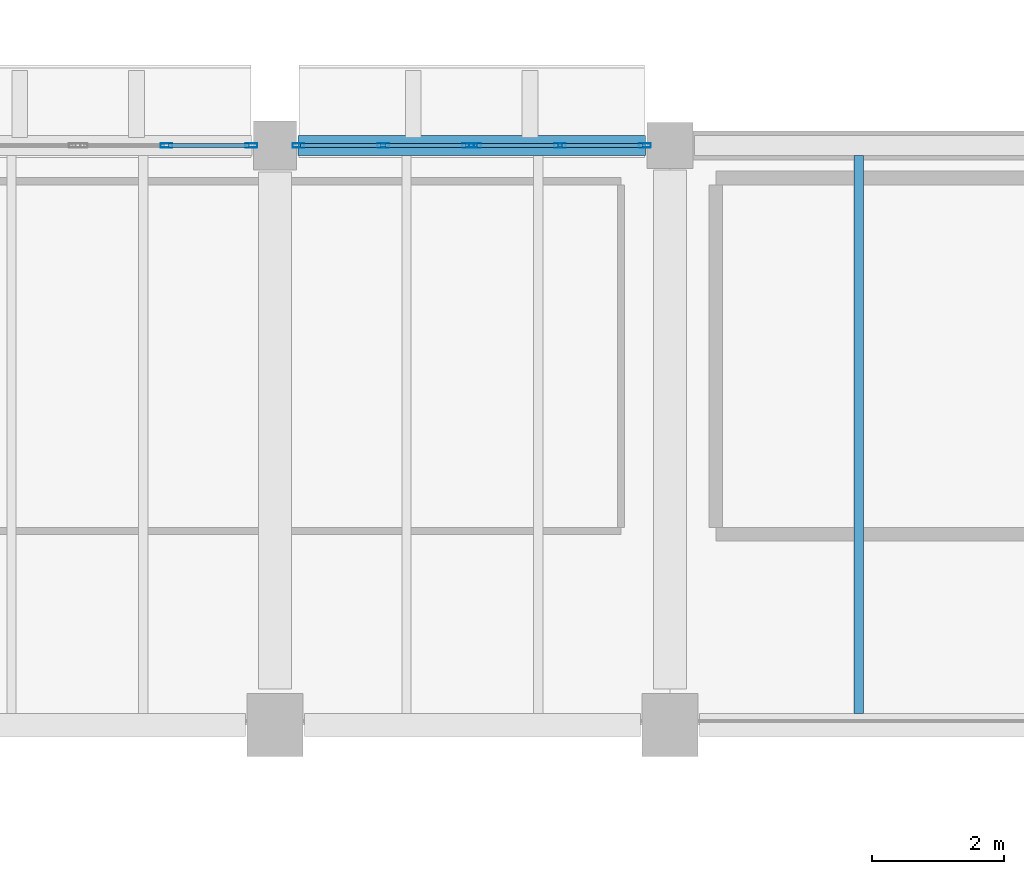
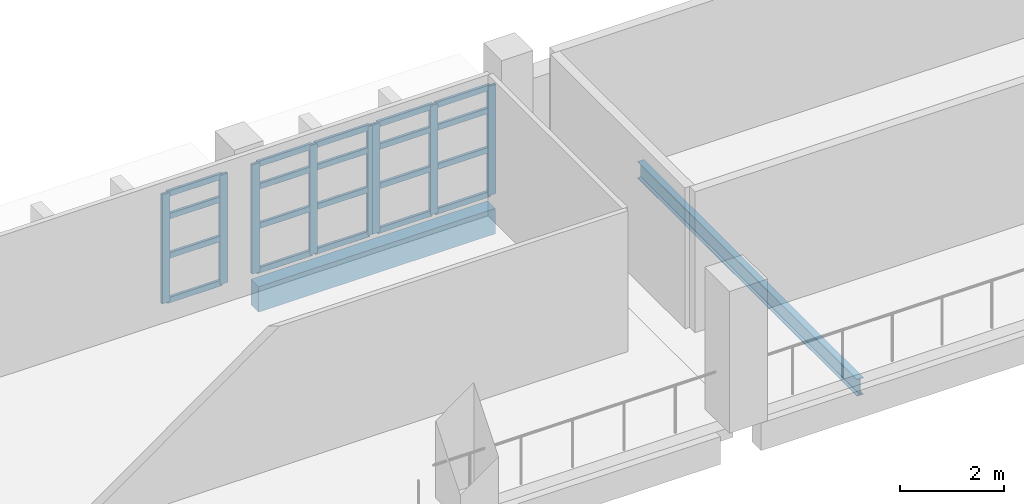
# One storey, part 44 of 75: 28 members, 2 beams, 3 elements without a shape of their own.
"""IFC4 building model written with IfcOpenShell, lengths in metres."""

from ifc_helpers import new_model, si_unit, direction, frame, origin, origin_2d, place, context, subcontext, project, spatial, rectangle, hollow_rectangle, i_section, extrude, material, material_profile, profile_set, type_object, element, aggregate, save


model = new_model("IFC4")

# Units and contexts
model_context = context("Model", 3, precision=1e-05, world=origin(), true_north=direction((0.0, 1.0)))
body_context = subcontext(model_context, "Body", "Model", "MODEL_VIEW")
ifc_project = project(units=[si_unit("LENGTHUNIT", "METRE"), si_unit("AREAUNIT", "SQUARE_METRE"), si_unit("VOLUMEUNIT", "CUBIC_METRE"), si_unit("PLANEANGLEUNIT", "RADIAN"), si_unit("MASSUNIT", "GRAM", prefix="KILO")], contexts=[model_context])

# Site, building, storey
site_placement = place(None, origin())
site = spatial("IfcSite", under=ifc_project, at=site_placement, CompositionType="ELEMENT")
building_placement = place(site_placement, origin())
building = spatial("IfcBuilding", under=site, at=building_placement, Name="Varnakota Cinema and Media Centre", CompositionType="ELEMENT")
storey_placement = place(building_placement, frame((0.0, 0.0, 8.39990234375)))
storey = spatial("IfcBuildingStorey", under=building, at=storey_placement, Name="L02", CompositionType="ELEMENT", Elevation=8.39990234375)

# Beams
ifc_material_1 = material(Name="Concrete M35", Category="concrete")
ifc_material_profile_1 = material_profile(ifc_material_1, rectangle(XDim=0.300048828125, YDim=0.60009765625, at=origin_2d()), Name="RCB 300x600")
ifc_profile_set_1 = profile_set([ifc_material_profile_1], Name="Concrete M35")
beam_type_1 = type_object("IfcBeamType", Name="BM-SP-300x600", PredefinedType="SPANDREL", material=ifc_profile_set_1)
beam_1_placement = place(storey_placement, frame((129.35009765625, 44.0, -0.5498046875), z_axis=(1.0, 0.0, 0.0), x_axis=(0.0, 1.0, 0.0)))
element("IfcBeam", 1, at=beam_1_placement, inside=storey, type_object=beam_type_1, Name="L02 girder U-V/6", PredefinedType="SPANDREL", context=body_context, shape_type="SweptSolid", body=[
    extrude(rectangle(XDim=0.300048828125, YDim=0.60009765625, at=origin_2d()), origin(), (0.0, 0.0, 1.0), 5.27490234375),
])
ifc_material_2 = material(Name="Structural steel Grade 350 (E350)", Category="steel")
ifc_material_profile_2 = material_profile(ifc_material_2, i_section(OverallWidth=0.139892578125, OverallDepth=0.39990234375, WebThickness=0.0087890625, FlangeThickness=0.01611328125, FilletRadius=0.013916015625, at=origin_2d()), Name="ISMB 400")
ifc_profile_set_2 = profile_set([ifc_material_profile_2], Name="Structural steel Grade 350 (E350)")
beam_type_2 = type_object("IfcBeamType", Name="BM-ST-ISMB400", PredefinedType="JOIST", material=ifc_profile_set_2)
beam_2_placement = place(storey_placement, frame((137.86669921875, 35.375, -0.449951171875), z_axis=(0.0, 1.0, 0.0), x_axis=(-1.0, 0.0, 0.0)))
element("IfcBeam", 2, at=beam_2_placement, inside=storey, type_object=beam_type_2, Name="L02 steel joist V-W/5-6 #1", PredefinedType="JOIST", context=body_context, shape_type="SweptSolid", body=[
    extrude(i_section(OverallWidth=0.139892578125, OverallDepth=0.39990234375, WebThickness=0.0087890625, FlangeThickness=0.01611328125, FilletRadius=0.013916015625, at=origin_2d()), origin(), (0.0, 0.0, 1.0), 8.47509765625),
])

# Curtain wall, members
ifc_material_3 = material(Name="Thermally broken anodised aluminium AW-6063", Category="aluminium")
curtain_wall_type = type_object("IfcCurtainWallType", Name="CW-STD-264x258", PredefinedType="USERDEFINED", material=ifc_material_3)
curtain_wall_1_placement = place(storey_placement, origin())
curtain_wall_1 = element("IfcCurtainWall", 3, at=curtain_wall_1_placement, inside=storey, type_object=curtain_wall_type, Name="L02 curtain wall CW-L02-V1-N-09-2", ObjectType="UNITISED CURTAIN WALL", PredefinedType="USERDEFINED")
ifc_material_4 = material(Name="Thermally broken anodised aluminium AW-6063", Category="aluminium")
ifc_material_profile_3 = material_profile(ifc_material_4, hollow_rectangle(XDim=0.06494140625, YDim=0.179931640625, WallThickness=0.00390625, InnerFilletRadius=0.00390625, OuterFilletRadius=0.008056640625, at=origin_2d()), Name="AL-MULLION 180x65x4")
ifc_profile_set_3 = profile_set([ifc_material_profile_3], Name="Thermally broken anodised aluminium AW-6063")
member_type_1 = type_object("IfcMemberType", Name="CWM-AL-180", PredefinedType="MULLION", material=ifc_profile_set_3)
member_1_placement = place(storey_placement, frame((127.353759765625, 44.0, 0.0), z_axis=(0.0, 0.0, 1.0), x_axis=(0.0, 1.0, 0.0)))
member_1 = element("IfcMember", 4, at=member_1_placement, type_object=member_type_1, Name="CW29 mullion 2", PredefinedType="MULLION", context=body_context, shape_type="SweptSolid", body=[
    extrude(hollow_rectangle(XDim=0.06494140625, YDim=0.179931640625, WallThickness=0.00390625, InnerFilletRadius=0.00390625, OuterFilletRadius=0.008056640625, at=origin_2d()), origin(), (0.0, 0.0, 1.0), 2.5751953125),
])
member_2_placement = place(storey_placement, frame((128.642578125, 44.0, 0.0), z_axis=(0.0, 0.0, 1.0), x_axis=(0.0, 1.0, 0.0)))
member_2 = element("IfcMember", 5, at=member_2_placement, type_object=member_type_1, Name="CW29 mullion 3", PredefinedType="MULLION", context=body_context, shape_type="SweptSolid", body=[
    extrude(hollow_rectangle(XDim=0.06494140625, YDim=0.179931640625, WallThickness=0.00390625, InnerFilletRadius=0.00390625, OuterFilletRadius=0.008056640625, at=origin_2d()), origin(), (0.0, 0.0, 1.0), 2.5751953125),
])

curtain_wall_2_placement = place(storey_placement, origin())
curtain_wall_2 = element("IfcCurtainWall", 6, at=curtain_wall_2_placement, inside=storey, type_object=curtain_wall_type, Name="L02 curtain wall CW-L02-V1-N-10-1", ObjectType="UNITISED CURTAIN WALL", PredefinedType="USERDEFINED")
member_3_placement = place(storey_placement, frame((129.357421875, 44.0, 0.0), z_axis=(0.0, 0.0, 1.0), x_axis=(0.0, 1.0, 0.0)))
member_3 = element("IfcMember", 7, at=member_3_placement, type_object=member_type_1, Name="CW29 mullion 1", PredefinedType="MULLION", context=body_context, shape_type="SweptSolid", body=[
    extrude(hollow_rectangle(XDim=0.06494140625, YDim=0.179931640625, WallThickness=0.00390625, InnerFilletRadius=0.00390625, OuterFilletRadius=0.008056640625, at=origin_2d()), origin(), (0.0, 0.0, 1.0), 2.5751953125),
])
member_4_placement = place(storey_placement, frame((130.646240234375, 44.0, 0.0), z_axis=(0.0, 0.0, 1.0), x_axis=(0.0, 1.0, 0.0)))
member_4 = element("IfcMember", 8, at=member_4_placement, type_object=member_type_1, Name="CW29 mullion 2", PredefinedType="MULLION", context=body_context, shape_type="SweptSolid", body=[
    extrude(hollow_rectangle(XDim=0.06494140625, YDim=0.179931640625, WallThickness=0.00390625, InnerFilletRadius=0.00390625, OuterFilletRadius=0.008056640625, at=origin_2d()), origin(), (0.0, 0.0, 1.0), 2.5751953125),
])
member_5_placement = place(storey_placement, frame((131.93505859375, 44.0, 0.0), z_axis=(0.0, 0.0, 1.0), x_axis=(0.0, 1.0, 0.0)))
member_5 = element("IfcMember", 9, at=member_5_placement, type_object=member_type_1, Name="CW29 mullion 3", PredefinedType="MULLION", context=body_context, shape_type="SweptSolid", body=[
    extrude(hollow_rectangle(XDim=0.06494140625, YDim=0.179931640625, WallThickness=0.00390625, InnerFilletRadius=0.00390625, OuterFilletRadius=0.008056640625, at=origin_2d()), origin(), (0.0, 0.0, 1.0), 2.5751953125),
])

curtain_wall_3_placement = place(storey_placement, origin())
curtain_wall_3 = element("IfcCurtainWall", 10, at=curtain_wall_3_placement, inside=storey, type_object=curtain_wall_type, Name="L02 curtain wall CW-L02-V1-N-10-2", ObjectType="UNITISED CURTAIN WALL", PredefinedType="USERDEFINED")
member_6_placement = place(storey_placement, frame((132.0400390625, 44.0, 0.0), z_axis=(0.0, 0.0, 1.0), x_axis=(0.0, 1.0, 0.0)))
member_6 = element("IfcMember", 11, at=member_6_placement, type_object=member_type_1, Name="CW29 mullion 1", PredefinedType="MULLION", context=body_context, shape_type="SweptSolid", body=[
    extrude(hollow_rectangle(XDim=0.06494140625, YDim=0.179931640625, WallThickness=0.00390625, InnerFilletRadius=0.00390625, OuterFilletRadius=0.008056640625, at=origin_2d()), origin(), (0.0, 0.0, 1.0), 2.5751953125),
])
member_7_placement = place(storey_placement, frame((133.328857421875, 44.0, 0.0), z_axis=(0.0, 0.0, 1.0), x_axis=(0.0, 1.0, 0.0)))
member_7 = element("IfcMember", 12, at=member_7_placement, type_object=member_type_1, Name="CW29 mullion 2", PredefinedType="MULLION", context=body_context, shape_type="SweptSolid", body=[
    extrude(hollow_rectangle(XDim=0.06494140625, YDim=0.179931640625, WallThickness=0.00390625, InnerFilletRadius=0.00390625, OuterFilletRadius=0.008056640625, at=origin_2d()), origin(), (0.0, 0.0, 1.0), 2.5751953125),
])
member_8_placement = place(storey_placement, frame((134.617431640625, 44.0, 0.0), z_axis=(0.0, 0.0, 1.0), x_axis=(0.0, 1.0, 0.0)))
member_8 = element("IfcMember", 13, at=member_8_placement, type_object=member_type_1, Name="CW29 mullion 3", PredefinedType="MULLION", context=body_context, shape_type="SweptSolid", body=[
    extrude(hollow_rectangle(XDim=0.06494140625, YDim=0.179931640625, WallThickness=0.00390625, InnerFilletRadius=0.00390625, OuterFilletRadius=0.008056640625, at=origin_2d()), origin(), (0.0, 0.0, 1.0), 2.5751953125),
])

# Member
ifc_material_5 = material(Name="Thermally broken anodised aluminium AW-6063", Category="aluminium")
ifc_material_profile_4 = material_profile(ifc_material_5, hollow_rectangle(XDim=0.06494140625, YDim=0.139892578125, WallThickness=0.00390625, InnerFilletRadius=0.00390625, OuterFilletRadius=0.008056640625, at=origin_2d()), Name="AL-TRANSOM 140x65x4")
ifc_profile_set_4 = profile_set([ifc_material_profile_4], Name="Thermally broken anodised aluminium AW-6063")
member_type_2 = type_object("IfcMemberType", Name="CWT-AL-140", PredefinedType="USERDEFINED", material=ifc_profile_set_4)
member_9_placement = place(storey_placement, frame((127.38623046875, 44.0, 0.03271484375), z_axis=(1.0, 0.0, 0.0), x_axis=(0.0, 1.0, 0.0)))
member_9 = element("IfcMember", 14, at=member_9_placement, type_object=member_type_2, Name="CW29 transom 2.1", ObjectType="TRANSOM", PredefinedType="USERDEFINED", context=body_context, shape_type="SweptSolid", body=[
    extrude(hollow_rectangle(XDim=0.06494140625, YDim=0.139892578125, WallThickness=0.00390625, InnerFilletRadius=0.00390625, OuterFilletRadius=0.008056640625, at=origin_2d()), origin(), (0.0, 0.0, 1.0), 1.223876953125),
])

member_10_placement = place(storey_placement, frame((127.38623046875, 44.0, 1.08154296875), z_axis=(1.0, 0.0, 0.0), x_axis=(0.0, 1.0, 0.0)))
member_10 = element("IfcMember", 15, at=member_10_placement, type_object=member_type_2, Name="CW29 transom 2.2", ObjectType="TRANSOM", PredefinedType="USERDEFINED", context=body_context, shape_type="SweptSolid", body=[
    extrude(hollow_rectangle(XDim=0.06494140625, YDim=0.139892578125, WallThickness=0.00390625, InnerFilletRadius=0.00390625, OuterFilletRadius=0.008056640625, at=origin_2d()), origin(), (0.0, 0.0, 1.0), 1.223876953125),
])

member_11_placement = place(storey_placement, frame((127.38623046875, 44.0, 2.008544921875), z_axis=(1.0, 0.0, 0.0), x_axis=(0.0, 1.0, 0.0)))
member_11 = element("IfcMember", 16, at=member_11_placement, type_object=member_type_2, Name="CW29 transom 2.3", ObjectType="TRANSOM", PredefinedType="USERDEFINED", context=body_context, shape_type="SweptSolid", body=[
    extrude(hollow_rectangle(XDim=0.06494140625, YDim=0.139892578125, WallThickness=0.00390625, InnerFilletRadius=0.00390625, OuterFilletRadius=0.008056640625, at=origin_2d()), origin(), (0.0, 0.0, 1.0), 1.223876953125),
])

member_12_placement = place(storey_placement, frame((127.38623046875, 44.0, 2.54248046875), z_axis=(1.0, 0.0, 0.0), x_axis=(0.0, 1.0, 0.0)))
member_12 = element("IfcMember", 17, at=member_12_placement, type_object=member_type_2, Name="CW29 transom 2.4", ObjectType="TRANSOM", PredefinedType="USERDEFINED", context=body_context, shape_type="SweptSolid", body=[
    extrude(hollow_rectangle(XDim=0.06494140625, YDim=0.139892578125, WallThickness=0.00390625, InnerFilletRadius=0.00390625, OuterFilletRadius=0.008056640625, at=origin_2d()), origin(), (0.0, 0.0, 1.0), 1.223876953125),
])

aggregate(curtain_wall_1, [member_1, member_2, member_9, member_10, member_11, member_12])

member_13_placement = place(storey_placement, frame((129.389892578125, 44.0, 0.03271484375), z_axis=(1.0, 0.0, 0.0), x_axis=(0.0, 1.0, 0.0)))
member_13 = element("IfcMember", 18, at=member_13_placement, type_object=member_type_2, Name="CW29 transom 1.1", ObjectType="TRANSOM", PredefinedType="USERDEFINED", context=body_context, shape_type="SweptSolid", body=[
    extrude(hollow_rectangle(XDim=0.06494140625, YDim=0.139892578125, WallThickness=0.00390625, InnerFilletRadius=0.00390625, OuterFilletRadius=0.008056640625, at=origin_2d()), origin(), (0.0, 0.0, 1.0), 1.223876953125),
])

member_14_placement = place(storey_placement, frame((129.389892578125, 44.0, 1.08154296875), z_axis=(1.0, 0.0, 0.0), x_axis=(0.0, 1.0, 0.0)))
member_14 = element("IfcMember", 19, at=member_14_placement, type_object=member_type_2, Name="CW29 transom 1.2", ObjectType="TRANSOM", PredefinedType="USERDEFINED", context=body_context, shape_type="SweptSolid", body=[
    extrude(hollow_rectangle(XDim=0.06494140625, YDim=0.139892578125, WallThickness=0.00390625, InnerFilletRadius=0.00390625, OuterFilletRadius=0.008056640625, at=origin_2d()), origin(), (0.0, 0.0, 1.0), 1.223876953125),
])

member_15_placement = place(storey_placement, frame((129.389892578125, 44.0, 2.008544921875), z_axis=(1.0, 0.0, 0.0), x_axis=(0.0, 1.0, 0.0)))
member_15 = element("IfcMember", 20, at=member_15_placement, type_object=member_type_2, Name="CW29 transom 1.3", ObjectType="TRANSOM", PredefinedType="USERDEFINED", context=body_context, shape_type="SweptSolid", body=[
    extrude(hollow_rectangle(XDim=0.06494140625, YDim=0.139892578125, WallThickness=0.00390625, InnerFilletRadius=0.00390625, OuterFilletRadius=0.008056640625, at=origin_2d()), origin(), (0.0, 0.0, 1.0), 1.223876953125),
])

member_16_placement = place(storey_placement, frame((129.389892578125, 44.0, 2.54248046875), z_axis=(1.0, 0.0, 0.0), x_axis=(0.0, 1.0, 0.0)))
member_16 = element("IfcMember", 21, at=member_16_placement, type_object=member_type_2, Name="CW29 transom 1.4", ObjectType="TRANSOM", PredefinedType="USERDEFINED", context=body_context, shape_type="SweptSolid", body=[
    extrude(hollow_rectangle(XDim=0.06494140625, YDim=0.139892578125, WallThickness=0.00390625, InnerFilletRadius=0.00390625, OuterFilletRadius=0.008056640625, at=origin_2d()), origin(), (0.0, 0.0, 1.0), 1.223876953125),
])

member_17_placement = place(storey_placement, frame((130.6787109375, 44.0, 0.03271484375), z_axis=(1.0, 0.0, 0.0), x_axis=(0.0, 1.0, 0.0)))
member_17 = element("IfcMember", 22, at=member_17_placement, type_object=member_type_2, Name="CW29 transom 2.1", ObjectType="TRANSOM", PredefinedType="USERDEFINED", context=body_context, shape_type="SweptSolid", body=[
    extrude(hollow_rectangle(XDim=0.06494140625, YDim=0.139892578125, WallThickness=0.00390625, InnerFilletRadius=0.00390625, OuterFilletRadius=0.008056640625, at=origin_2d()), origin(), (0.0, 0.0, 1.0), 1.223876953125),
])

member_18_placement = place(storey_placement, frame((130.6787109375, 44.0, 1.08154296875), z_axis=(1.0, 0.0, 0.0), x_axis=(0.0, 1.0, 0.0)))
member_18 = element("IfcMember", 23, at=member_18_placement, type_object=member_type_2, Name="CW29 transom 2.2", ObjectType="TRANSOM", PredefinedType="USERDEFINED", context=body_context, shape_type="SweptSolid", body=[
    extrude(hollow_rectangle(XDim=0.06494140625, YDim=0.139892578125, WallThickness=0.00390625, InnerFilletRadius=0.00390625, OuterFilletRadius=0.008056640625, at=origin_2d()), origin(), (0.0, 0.0, 1.0), 1.223876953125),
])

member_19_placement = place(storey_placement, frame((130.6787109375, 44.0, 2.008544921875), z_axis=(1.0, 0.0, 0.0), x_axis=(0.0, 1.0, 0.0)))
member_19 = element("IfcMember", 24, at=member_19_placement, type_object=member_type_2, Name="CW29 transom 2.3", ObjectType="TRANSOM", PredefinedType="USERDEFINED", context=body_context, shape_type="SweptSolid", body=[
    extrude(hollow_rectangle(XDim=0.06494140625, YDim=0.139892578125, WallThickness=0.00390625, InnerFilletRadius=0.00390625, OuterFilletRadius=0.008056640625, at=origin_2d()), origin(), (0.0, 0.0, 1.0), 1.223876953125),
])

member_20_placement = place(storey_placement, frame((130.6787109375, 44.0, 2.54248046875), z_axis=(1.0, 0.0, 0.0), x_axis=(0.0, 1.0, 0.0)))
member_20 = element("IfcMember", 25, at=member_20_placement, type_object=member_type_2, Name="CW29 transom 2.4", ObjectType="TRANSOM", PredefinedType="USERDEFINED", context=body_context, shape_type="SweptSolid", body=[
    extrude(hollow_rectangle(XDim=0.06494140625, YDim=0.139892578125, WallThickness=0.00390625, InnerFilletRadius=0.00390625, OuterFilletRadius=0.008056640625, at=origin_2d()), origin(), (0.0, 0.0, 1.0), 1.223876953125),
])

aggregate(curtain_wall_2, [member_3, member_4, member_5, member_13, member_14, member_15, member_16, member_17, member_18, member_19, member_20])

member_21_placement = place(storey_placement, frame((132.072509765625, 44.0, 0.03271484375), z_axis=(1.0, 0.0, 0.0), x_axis=(0.0, 1.0, 0.0)))
member_21 = element("IfcMember", 26, at=member_21_placement, type_object=member_type_2, Name="CW29 transom 1.1", ObjectType="TRANSOM", PredefinedType="USERDEFINED", context=body_context, shape_type="SweptSolid", body=[
    extrude(hollow_rectangle(XDim=0.06494140625, YDim=0.139892578125, WallThickness=0.00390625, InnerFilletRadius=0.00390625, OuterFilletRadius=0.008056640625, at=origin_2d()), origin(), (0.0, 0.0, 1.0), 1.2236328125),
])

member_22_placement = place(storey_placement, frame((132.072509765625, 44.0, 1.08154296875), z_axis=(1.0, 0.0, 0.0), x_axis=(0.0, 1.0, 0.0)))
member_22 = element("IfcMember", 27, at=member_22_placement, type_object=member_type_2, Name="CW29 transom 1.2", ObjectType="TRANSOM", PredefinedType="USERDEFINED", context=body_context, shape_type="SweptSolid", body=[
    extrude(hollow_rectangle(XDim=0.06494140625, YDim=0.139892578125, WallThickness=0.00390625, InnerFilletRadius=0.00390625, OuterFilletRadius=0.008056640625, at=origin_2d()), origin(), (0.0, 0.0, 1.0), 1.2236328125),
])

member_23_placement = place(storey_placement, frame((132.072509765625, 44.0, 2.008544921875), z_axis=(1.0, 0.0, 0.0), x_axis=(0.0, 1.0, 0.0)))
member_23 = element("IfcMember", 28, at=member_23_placement, type_object=member_type_2, Name="CW29 transom 1.3", ObjectType="TRANSOM", PredefinedType="USERDEFINED", context=body_context, shape_type="SweptSolid", body=[
    extrude(hollow_rectangle(XDim=0.06494140625, YDim=0.139892578125, WallThickness=0.00390625, InnerFilletRadius=0.00390625, OuterFilletRadius=0.008056640625, at=origin_2d()), origin(), (0.0, 0.0, 1.0), 1.2236328125),
])

member_24_placement = place(storey_placement, frame((132.072509765625, 44.0, 2.54248046875), z_axis=(1.0, 0.0, 0.0), x_axis=(0.0, 1.0, 0.0)))
member_24 = element("IfcMember", 29, at=member_24_placement, type_object=member_type_2, Name="CW29 transom 1.4", ObjectType="TRANSOM", PredefinedType="USERDEFINED", context=body_context, shape_type="SweptSolid", body=[
    extrude(hollow_rectangle(XDim=0.06494140625, YDim=0.139892578125, WallThickness=0.00390625, InnerFilletRadius=0.00390625, OuterFilletRadius=0.008056640625, at=origin_2d()), origin(), (0.0, 0.0, 1.0), 1.2236328125),
])

member_25_placement = place(storey_placement, frame((133.361328125, 44.0, 0.03271484375), z_axis=(1.0, 0.0, 0.0), x_axis=(0.0, 1.0, 0.0)))
member_25 = element("IfcMember", 30, at=member_25_placement, type_object=member_type_2, Name="CW29 transom 2.1", ObjectType="TRANSOM", PredefinedType="USERDEFINED", context=body_context, shape_type="SweptSolid", body=[
    extrude(hollow_rectangle(XDim=0.06494140625, YDim=0.139892578125, WallThickness=0.00390625, InnerFilletRadius=0.00390625, OuterFilletRadius=0.008056640625, at=origin_2d()), origin(), (0.0, 0.0, 1.0), 1.2236328125),
])

member_26_placement = place(storey_placement, frame((133.361328125, 44.0, 1.08154296875), z_axis=(1.0, 0.0, 0.0), x_axis=(0.0, 1.0, 0.0)))
member_26 = element("IfcMember", 31, at=member_26_placement, type_object=member_type_2, Name="CW29 transom 2.2", ObjectType="TRANSOM", PredefinedType="USERDEFINED", context=body_context, shape_type="SweptSolid", body=[
    extrude(hollow_rectangle(XDim=0.06494140625, YDim=0.139892578125, WallThickness=0.00390625, InnerFilletRadius=0.00390625, OuterFilletRadius=0.008056640625, at=origin_2d()), origin(), (0.0, 0.0, 1.0), 1.2236328125),
])

member_27_placement = place(storey_placement, frame((133.361328125, 44.0, 2.008544921875), z_axis=(1.0, 0.0, 0.0), x_axis=(0.0, 1.0, 0.0)))
member_27 = element("IfcMember", 32, at=member_27_placement, type_object=member_type_2, Name="CW29 transom 2.3", ObjectType="TRANSOM", PredefinedType="USERDEFINED", context=body_context, shape_type="SweptSolid", body=[
    extrude(hollow_rectangle(XDim=0.06494140625, YDim=0.139892578125, WallThickness=0.00390625, InnerFilletRadius=0.00390625, OuterFilletRadius=0.008056640625, at=origin_2d()), origin(), (0.0, 0.0, 1.0), 1.2236328125),
])

member_28_placement = place(storey_placement, frame((133.361328125, 44.0, 2.54248046875), z_axis=(1.0, 0.0, 0.0), x_axis=(0.0, 1.0, 0.0)))
member_28 = element("IfcMember", 33, at=member_28_placement, type_object=member_type_2, Name="CW29 transom 2.4", ObjectType="TRANSOM", PredefinedType="USERDEFINED", context=body_context, shape_type="SweptSolid", body=[
    extrude(hollow_rectangle(XDim=0.06494140625, YDim=0.139892578125, WallThickness=0.00390625, InnerFilletRadius=0.00390625, OuterFilletRadius=0.008056640625, at=origin_2d()), origin(), (0.0, 0.0, 1.0), 1.2236328125),
])

aggregate(curtain_wall_3, [member_6, member_7, member_8, member_21, member_22, member_23, member_24, member_25, member_26, member_27, member_28])

save(model, "model.ifc")
